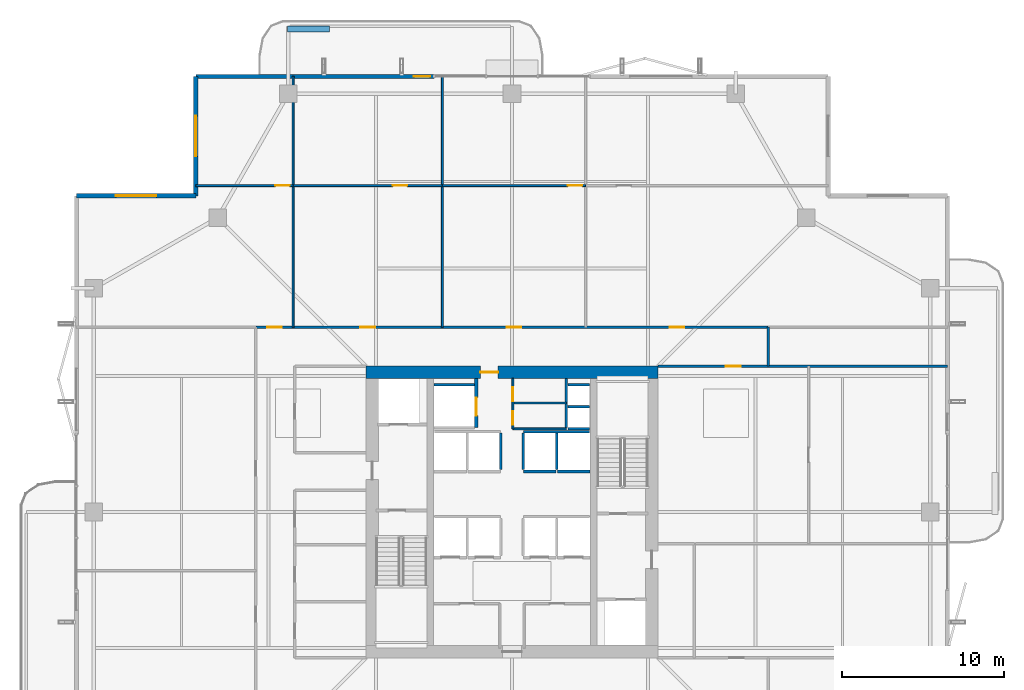
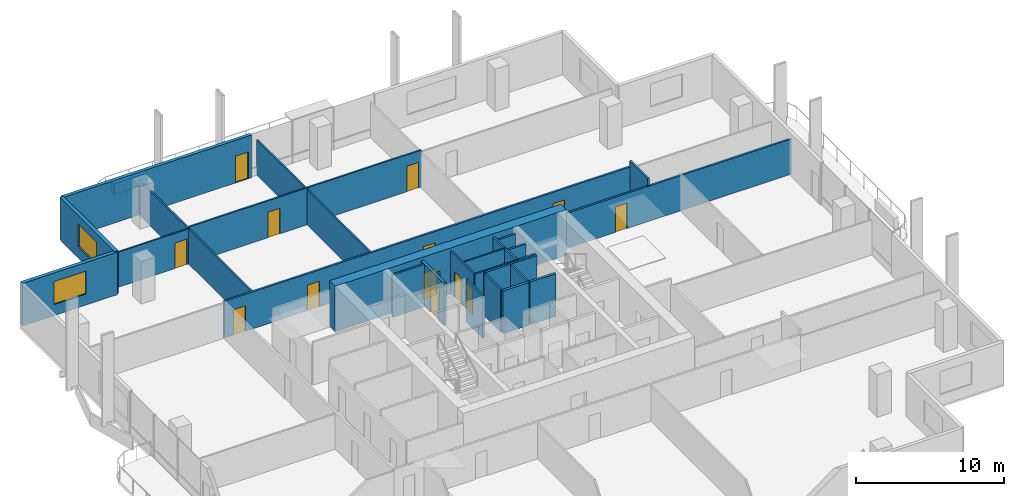
# One storey, part 19 of 24: 28 walls, 13 doors, 2 windows, 15 openings.
"""IFC4 building model written with IfcOpenShell, lengths in metres."""

from ifc_helpers import new_model, si_unit, direction, frame, frame_2d, origin, place, context, subcontext, project, spatial, rectangle, extrude, material, layer, layer_set, type_object, element, fill, save


model = new_model("IFC4")

# Units and contexts
model_context = context("Model", 3, precision=1e-05, world=origin(), true_north=direction((0.0, 1.0)))
body_context = subcontext(model_context, "Body", "Model", "MODEL_VIEW")
ifc_project = project(units=[si_unit("LENGTHUNIT", "METRE"), si_unit("AREAUNIT", "SQUARE_METRE"), si_unit("VOLUMEUNIT", "CUBIC_METRE"), si_unit("PLANEANGLEUNIT", "RADIAN"), si_unit("MASSUNIT", "GRAM", prefix="KILO")], contexts=[model_context])

# Site, building, storey
site_placement = place(None, origin())
site = spatial("IfcSite", under=ifc_project, at=site_placement, CompositionType="ELEMENT")
building_placement = place(site_placement, origin())
building = spatial("IfcBuilding", under=site, at=building_placement, Name="Belovzor Exchange Tower", CompositionType="ELEMENT")
storey_placement = place(building_placement, frame((0.0, 0.0, 233.699951171875)))
storey = spatial("IfcBuildingStorey", under=building, at=storey_placement, Name="L58", CompositionType="ELEMENT", Elevation=233.699951171875)

# Wall, opening, door
ifc_material_1 = material(Name="Acoustic Plasterboard on Galvanised Studs", Category="gypsum")
ifc_layer_1 = layer(ifc_material_1, 0.1201171875)
ifc_layer_set_1 = layer_set([ifc_layer_1], Name="Acoustic Plasterboard on Galvanised Studs")
wall_type_1 = type_object("IfcWallType", Name="Acoustic Double-Stud Partition Wall 120", PredefinedType="PARTITIONING", material=ifc_layer_set_1)
wall_1_placement = place(storey_placement, frame((9.300048828125, 48.93505859375, 0.0), z_axis=(0.0, 0.0, 1.0), x_axis=(1.0, 0.0, 0.0)))
wall_1 = element("IfcWall", 1, at=wall_1_placement, inside=storey, type_object=wall_type_1, Name="W-P120 Partition Wall W-L58-NHDIV-0", PredefinedType="PARTITIONING", context=body_context, shape_type="SweptSolid", body=[
    extrude(rectangle(XDim=6.0, YDim=0.1201171875, at=frame_2d((3.0, 0.0))), origin(), (0.0, 0.0, 1.0), 2.885009765625),
])
opening_1_placement = place(wall_1_placement, frame((4.89990234375, 0.0, 0.0)))
opening_1 = element("IfcOpeningElement", 2, at=opening_1_placement, cuts=wall_1, Name="Opening D-INT-090", PredefinedType="OPENING", context=body_context, shape_type="SweptSolid", body=[
    extrude(rectangle(XDim=0.89990234375, YDim=2.10009765625, at=frame_2d((0.449951171875, 1.050048828125))), frame((0.0, 0.070068359375, 0.0), z_axis=(0.0, -1.0, 0.0), x_axis=(1.0, 0.0, 0.0)), (0.0, 0.0, 1.0), 0.14013671875),
])
ifc_material_2 = material(Name="Veneered Hardwood Acoustic Leaf", Category="wood")
door_type_1 = type_object("IfcDoorType", Name="Trading Suite Acoustic Single Door 900x2100", OperationType="NOTDEFINED", PredefinedType="DOOR", material=ifc_material_2)
door_1_placement = place(opening_1_placement, origin())
door_1 = element("IfcDoor", 3, at=door_1_placement, inside=storey, type_object=door_type_1, Name="D-INT-090 Trading Suite Acoustic Single Door 900x2100", OperationType="SINGLE_SWING_RIGHT", OverallHeight=2.10009765625, OverallWidth=0.89990234375, PredefinedType="DOOR", context=body_context, shape_type="SweptSolid", body=[
    extrude(rectangle(XDim=0.89990234375, YDim=2.10009765625, at=frame_2d((0.449951171875, 1.050048828125))), frame((0.0, 0.02490234375, 0.0), z_axis=(0.0, -1.0, 0.0), x_axis=(1.0, 0.0, 0.0)), (0.0, 0.0, 1.0), 0.050048828125),
])
fill(opening_1, door_1)

# Wall
wall_2_placement = place(storey_placement, frame((15.300048828125, 40.199951171875, 0.0), z_axis=(0.0, 0.0, 1.0), x_axis=(0.0, 1.0, 0.0)))
element("IfcWall", 4, at=wall_2_placement, inside=storey, type_object=wall_type_1, Name="W-P120 Partition Wall W-L58-NDIV-1", PredefinedType="PARTITIONING", context=body_context, shape_type="SweptSolid", body=[
    extrude(rectangle(XDim=15.469970703125, YDim=0.1201171875, at=frame_2d((7.73486328125, 0.0))), origin(), (0.0, 0.0, 1.0), 2.885009765625),
])

# Wall, opening, door
wall_3_placement = place(storey_placement, frame((15.300048828125, 48.93505859375, 0.0), z_axis=(0.0, 0.0, 1.0), x_axis=(1.0, 0.0, 0.0)))
wall_3 = element("IfcWall", 5, at=wall_3_placement, inside=storey, type_object=wall_type_1, Name="W-P120 Partition Wall W-L58-NHDIV-1", PredefinedType="PARTITIONING", context=body_context, shape_type="SweptSolid", body=[
    extrude(rectangle(XDim=9.2080078125, YDim=0.1201171875, at=frame_2d((4.60400390625, 0.0))), origin(), (0.0, 0.0, 1.0), 3.03515625),
])
opening_2_placement = place(wall_3_placement, frame((6.131103515625, 0.0, 0.0)))
opening_2 = element("IfcOpeningElement", 6, at=opening_2_placement, cuts=wall_3, Name="Opening D-INT-090", PredefinedType="OPENING", context=body_context, shape_type="SweptSolid", body=[
    extrude(rectangle(XDim=0.89990234375, YDim=2.10009765625, at=frame_2d((0.449951171875, 1.050048828125))), frame((0.0, 0.070068359375, 0.0), z_axis=(0.0, -1.0, 0.0), x_axis=(1.0, 0.0, 0.0)), (0.0, 0.0, 1.0), 0.14013671875),
])
door_2_placement = place(opening_2_placement, origin())
door_2 = element("IfcDoor", 7, at=door_2_placement, inside=storey, type_object=door_type_1, Name="D-INT-090 Trading Suite Acoustic Single Door 900x2100", OperationType="SINGLE_SWING_RIGHT", OverallHeight=2.10009765625, OverallWidth=0.89990234375, PredefinedType="DOOR", context=body_context, shape_type="SweptSolid", body=[
    extrude(rectangle(XDim=0.89990234375, YDim=2.10009765625, at=frame_2d((0.449951171875, 1.050048828125))), frame((0.0, 0.02490234375, 0.0), z_axis=(0.0, -1.0, 0.0), x_axis=(1.0, 0.0, 0.0)), (0.0, 0.0, 1.0), 0.050048828125),
])
fill(opening_2, door_2)

# Wall
wall_4_placement = place(storey_placement, frame((24.508056640625, 40.199951171875, 0.0), z_axis=(0.0, 0.0, 1.0), x_axis=(0.0, 1.0, 0.0)))
element("IfcWall", 8, at=wall_4_placement, inside=storey, type_object=wall_type_1, Name="W-P120 Partition Wall W-L58-NDIV-2", PredefinedType="PARTITIONING", context=body_context, shape_type="SweptSolid", body=[
    extrude(rectangle(XDim=15.469970703125, YDim=0.1201171875, at=frame_2d((7.73486328125, 0.0))), origin(), (0.0, 0.0, 1.0), 2.885009765625),
])

# Wall, opening, door
wall_5_placement = place(storey_placement, frame((24.508056640625, 48.93505859375, 0.0), z_axis=(0.0, 0.0, 1.0), x_axis=(1.0, 0.0, 0.0)))
wall_5 = element("IfcWall", 9, at=wall_5_placement, inside=storey, type_object=wall_type_1, Name="W-P120 Partition Wall W-L58-NHDIV-2", PredefinedType="PARTITIONING", context=body_context, shape_type="SweptSolid", body=[
    extrude(rectangle(XDim=8.8310546875, YDim=0.1201171875, at=frame_2d((4.41552734375, 0.0))), origin(), (0.0, 0.0, 1.0), 3.03515625),
])
opening_3_placement = place(wall_5_placement, frame((7.73095703125, 0.0, 0.0)))
opening_3 = element("IfcOpeningElement", 10, at=opening_3_placement, cuts=wall_5, Name="Opening D-INT-090", PredefinedType="OPENING", context=body_context, shape_type="SweptSolid", body=[
    extrude(rectangle(XDim=0.89990234375, YDim=2.10009765625, at=frame_2d((0.449951171875, 1.050048828125))), frame((0.0, 0.070068359375, 0.0), z_axis=(0.0, -1.0, 0.0), x_axis=(1.0, 0.0, 0.0)), (0.0, 0.0, 1.0), 0.14013671875),
])
door_3_placement = place(opening_3_placement, origin())
door_3 = element("IfcDoor", 11, at=door_3_placement, inside=storey, type_object=door_type_1, Name="D-INT-090 Trading Suite Acoustic Single Door 900x2100", OperationType="SINGLE_SWING_RIGHT", OverallHeight=2.10009765625, OverallWidth=0.89990234375, PredefinedType="DOOR", context=body_context, shape_type="SweptSolid", body=[
    extrude(rectangle(XDim=0.89990234375, YDim=2.10009765625, at=frame_2d((0.449951171875, 1.050048828125))), frame((0.0, 0.02490234375, 0.0), z_axis=(0.0, -1.0, 0.0), x_axis=(1.0, 0.0, 0.0)), (0.0, 0.0, 1.0), 0.050048828125),
])
fill(opening_3, door_3)

# Wall, openings, doors
ifc_material_3 = material(Name="Fire-Rated Plasterboard on Galvanised Studs", Category="gypsum")
ifc_layer_2 = layer(ifc_material_3, 0.1201171875)
ifc_layer_set_2 = layer_set([ifc_layer_2], Name="Fire-Rated Plasterboard on Galvanised Studs")
wall_type_2 = type_object("IfcWallType", Name="Fire-Rated Double-Stud Partition Wall 120", PredefinedType="PARTITIONING", material=ifc_layer_set_2)
wall_6_placement = place(storey_placement, frame((28.85009765625, 33.925048828125, 0.0), z_axis=(0.0, 0.0, 1.0), x_axis=(0.0, 1.0, 0.0)))
wall_6 = element("IfcWall", 12, at=wall_6_placement, inside=storey, type_object=wall_type_2, Name="W-P120F Partition Wall W-CRV-L58-W", PredefinedType="PARTITIONING", context=body_context, shape_type="SweptSolid", body=[
    extrude(rectangle(XDim=3.125, YDim=0.1201171875, at=frame_2d((1.5625, 0.0))), origin(), (0.0, 0.0, 1.0), 3.5),
])
opening_4_placement = place(wall_6_placement, frame((0.25, 0.0, 0.0)))
opening_4 = element("IfcOpeningElement", 13, at=opening_4_placement, cuts=wall_6, Name="Opening D-FD60-085", PredefinedType="OPENING", context=body_context, shape_type="SweptSolid", body=[
    extrude(rectangle(XDim=0.85009765625, YDim=2.10009765625, at=frame_2d((0.425048828125, 1.050048828125))), frame((0.0, 0.070068359375, 0.0), z_axis=(0.0, -1.0, 0.0), x_axis=(1.0, 0.0, 0.0)), (0.0, 0.0, 1.0), 0.14013671875),
])
opening_5_placement = place(wall_6_placement, frame((1.719970703125, 0.0, 0.0)))
opening_5 = element("IfcOpeningElement", 14, at=opening_5_placement, cuts=wall_6, Name="Opening D-FD60-085", PredefinedType="OPENING", context=body_context, shape_type="SweptSolid", body=[
    extrude(rectangle(XDim=0.85009765625, YDim=2.10009765625, at=frame_2d((0.425048828125, 1.050048828125))), frame((0.0, 0.070068359375, 0.0), z_axis=(0.0, -1.0, 0.0), x_axis=(1.0, 0.0, 0.0)), (0.0, 0.0, 1.0), 0.14013671875),
])
ifc_material_4 = material(Name="Fire-Rated Steel Access Leaf", Category="steel")
door_type_2 = type_object("IfcDoorType", Name="Riser & Meter Closet Access Fire Door 850x2100", OperationType="NOTDEFINED", PredefinedType="DOOR", material=ifc_material_4)
door_4_placement = place(opening_4_placement, origin())
door_4 = element("IfcDoor", 15, at=door_4_placement, inside=storey, type_object=door_type_2, Name="D-FD60-085 Riser & Meter Closet Access Fire Door 850x2100", OperationType="SINGLE_SWING_LEFT", OverallHeight=2.10009765625, OverallWidth=0.85009765625, PredefinedType="DOOR", context=body_context, shape_type="SweptSolid", body=[
    extrude(rectangle(XDim=0.85009765625, YDim=2.10009765625, at=frame_2d((0.425048828125, 1.050048828125))), frame((0.0, 0.02490234375, 0.0), z_axis=(0.0, -1.0, 0.0), x_axis=(1.0, 0.0, 0.0)), (0.0, 0.0, 1.0), 0.050048828125),
])
fill(opening_4, door_4)
door_5_placement = place(opening_5_placement, origin())
door_5 = element("IfcDoor", 16, at=door_5_placement, inside=storey, type_object=door_type_2, Name="D-FD60-085 Riser & Meter Closet Access Fire Door 850x2100", OperationType="SINGLE_SWING_RIGHT", OverallHeight=2.10009765625, OverallWidth=0.85009765625, PredefinedType="DOOR", context=body_context, shape_type="SweptSolid", body=[
    extrude(rectangle(XDim=0.85009765625, YDim=2.10009765625, at=frame_2d((0.425048828125, 1.050048828125))), frame((0.0, 0.02490234375, 0.0), z_axis=(0.0, -1.0, 0.0), x_axis=(1.0, 0.0, 0.0)), (0.0, 0.0, 1.0), 0.050048828125),
])
fill(opening_5, door_5)

# Walls
for number, where, z_axis, x_axis, name in (
    (17, (28.85009765625, 35.52490234375, 0.0), (0.0, 0.0, 1.0), (1.0, 0.0, 0.0), "W-P120F Partition Wall W-CRV-L58-M"),
    (18, (28.85009765625, 33.925048828125, 0.0), (0.0, 0.0, 1.0), (1.0, 0.0, 0.0), "W-P120F Partition Wall W-CRV-L58-S"),
):
    element("IfcWall", number, at=place(storey_placement, frame(where, z_axis=z_axis, x_axis=x_axis)), inside=storey, type_object=wall_type_2, Name=name, PredefinedType="PARTITIONING", context=body_context, shape_type="SweptSolid", body=[
        extrude(rectangle(XDim=3.2998046875, YDim=0.1201171875, at=frame_2d((1.64990234375, 0.0))), origin(), (0.0, 0.0, 1.0), 3.5),
    ])
ifc_material_5 = material(Name="Fire-Rated Gypsum Block and Mineral Wool", Category="gypsum")
ifc_layer_3 = layer(ifc_material_5, 0.14990234375)
ifc_layer_set_3 = layer_set([ifc_layer_3], Name="Fire-Rated Gypsum Block and Mineral Wool")
wall_type_3 = type_object("IfcWallType", Name="Fire-Rated Gypsum Block Corridor Wall 150", PredefinedType="PARTITIONING", material=ifc_layer_set_3)
wall_7_placement = place(storey_placement, frame((44.60009765625, 37.800048828125, 0.0), z_axis=(0.0, 0.0, 1.0), x_axis=(0.0, 1.0, 0.0)))
element("IfcWall", 19, at=wall_7_placement, inside=storey, type_object=wall_type_3, Name="W-P150 Partition Wall W-L58-END-EN", PredefinedType="PARTITIONING", context=body_context, shape_type="SweptSolid", body=[
    extrude(rectangle(XDim=2.39990234375, YDim=0.14990234375, at=frame_2d((1.199951171875, 0.0))), origin(), (0.0, 0.0, 1.0), 3.5),
])

# Wall, opening, door
wall_8_placement = place(storey_placement, frame((37.800048828125, 37.800048828125, 0.0), z_axis=(0.0, 0.0, 1.0), x_axis=(1.0, 0.0, 0.0)))
wall_8 = element("IfcWall", 20, at=wall_8_placement, inside=storey, type_object=wall_type_3, Name="W-P150 Partition Wall W-L58-CN-IN", PredefinedType="PARTITIONING", context=body_context, shape_type="SweptSolid", body=[
    extrude(rectangle(XDim=17.869873046875, YDim=0.14990234375, at=frame_2d((8.93505859375, 0.0))), origin(), (0.0, 0.0, 1.0), 2.885009765625),
])
opening_6_placement = place(wall_8_placement, frame((4.196044921875, 0.0, 0.0)))
opening_6 = element("IfcOpeningElement", 21, at=opening_6_placement, cuts=wall_8, Name="Opening D-INT-090", PredefinedType="OPENING", context=body_context, shape_type="SweptSolid", body=[
    extrude(rectangle(XDim=0.89990234375, YDim=2.10009765625, at=frame_2d((0.449951171875, 1.050048828125))), frame((0.0, 0.0849609375, 0.0), z_axis=(0.0, -1.0, 0.0), x_axis=(1.0, 0.0, 0.0)), (0.0, 0.0, 1.0), 0.169921875),
])
door_6_placement = place(opening_6_placement, origin())
door_6 = element("IfcDoor", 22, at=door_6_placement, inside=storey, type_object=door_type_1, Name="D-INT-090 Trading Suite Acoustic Single Door 900x2100", OperationType="SINGLE_SWING_RIGHT", OverallHeight=2.10009765625, OverallWidth=0.89990234375, PredefinedType="DOOR", context=body_context, shape_type="SweptSolid", body=[
    extrude(rectangle(XDim=0.89990234375, YDim=2.10009765625, at=frame_2d((0.449951171875, 1.050048828125))), frame((0.0, 0.02490234375, 0.0), z_axis=(0.0, -1.0, 0.0), x_axis=(1.0, 0.0, 0.0)), (0.0, 0.0, 1.0), 0.050048828125),
])
fill(opening_6, door_6)

# Wall, openings, doors
wall_9_placement = place(storey_placement, frame((13.0, 40.199951171875, 0.0), z_axis=(0.0, 0.0, 1.0), x_axis=(1.0, 0.0, 0.0)))
wall_9 = element("IfcWall", 23, at=wall_9_placement, inside=storey, type_object=wall_type_3, Name="W-P150 Partition Wall W-L58-CN", PredefinedType="PARTITIONING", context=body_context, shape_type="SweptSolid", body=[
    extrude(rectangle(XDim=31.60009765625, YDim=0.14990234375, at=frame_2d((15.800048828125, 0.0))), origin(), (0.0, 0.0, 1.0), 3.03515625),
])
opening_7_placement = place(wall_9_placement, frame((0.699951171875, 0.0, 0.0)))
opening_7 = element("IfcOpeningElement", 24, at=opening_7_placement, cuts=wall_9, Name="Opening D-INT-090", PredefinedType="OPENING", context=body_context, shape_type="SweptSolid", body=[
    extrude(rectangle(XDim=0.89990234375, YDim=2.10009765625, at=frame_2d((0.449951171875, 1.050048828125))), frame((0.0, 0.0849609375, 0.0), z_axis=(0.0, -1.0, 0.0), x_axis=(1.0, 0.0, 0.0)), (0.0, 0.0, 1.0), 0.169921875),
])
opening_8_placement = place(wall_9_placement, frame((6.4541015625, 0.0, 0.0)))
opening_8 = element("IfcOpeningElement", 25, at=opening_8_placement, cuts=wall_9, Name="Opening D-INT-090", PredefinedType="OPENING", context=body_context, shape_type="SweptSolid", body=[
    extrude(rectangle(XDim=0.89990234375, YDim=2.10009765625, at=frame_2d((0.449951171875, 1.050048828125))), frame((0.0, 0.0849609375, 0.0), z_axis=(0.0, -1.0, 0.0), x_axis=(1.0, 0.0, 0.0)), (0.0, 0.0, 1.0), 0.169921875),
])
opening_9_placement = place(wall_9_placement, frame((15.472900390625, 0.0, 0.0)))
opening_9 = element("IfcOpeningElement", 26, at=opening_9_placement, cuts=wall_9, Name="Opening D-INT-090", PredefinedType="OPENING", context=body_context, shape_type="SweptSolid", body=[
    extrude(rectangle(XDim=0.89990234375, YDim=2.10009765625, at=frame_2d((0.449951171875, 1.050048828125))), frame((0.0, 0.0849609375, 0.0), z_axis=(0.0, -1.0, 0.0), x_axis=(1.0, 0.0, 0.0)), (0.0, 0.0, 1.0), 0.169921875),
])
opening_10_placement = place(wall_9_placement, frame((25.51904296875, 0.0, 0.0)))
opening_10 = element("IfcOpeningElement", 27, at=opening_10_placement, cuts=wall_9, Name="Opening D-INT-090", PredefinedType="OPENING", context=body_context, shape_type="SweptSolid", body=[
    extrude(rectangle(XDim=0.89990234375, YDim=2.10009765625, at=frame_2d((0.449951171875, 1.050048828125))), frame((0.0, 0.0849609375, 0.0), z_axis=(0.0, -1.0, 0.0), x_axis=(1.0, 0.0, 0.0)), (0.0, 0.0, 1.0), 0.169921875),
])
door_7_placement = place(opening_7_placement, origin())
door_7 = element("IfcDoor", 28, at=door_7_placement, inside=storey, type_object=door_type_1, Name="D-INT-090 Trading Suite Acoustic Single Door 900x2100", OperationType="SINGLE_SWING_RIGHT", OverallHeight=2.10009765625, OverallWidth=0.89990234375, PredefinedType="DOOR", context=body_context, shape_type="SweptSolid", body=[
    extrude(rectangle(XDim=0.89990234375, YDim=2.10009765625, at=frame_2d((0.449951171875, 1.050048828125))), frame((0.0, 0.02490234375, 0.0), z_axis=(0.0, -1.0, 0.0), x_axis=(1.0, 0.0, 0.0)), (0.0, 0.0, 1.0), 0.050048828125),
])
fill(opening_7, door_7)
door_8_placement = place(opening_8_placement, origin())
door_8 = element("IfcDoor", 29, at=door_8_placement, inside=storey, type_object=door_type_1, Name="D-INT-090 Trading Suite Acoustic Single Door 900x2100", OperationType="SINGLE_SWING_LEFT", OverallHeight=2.10009765625, OverallWidth=0.89990234375, PredefinedType="DOOR", context=body_context, shape_type="SweptSolid", body=[
    extrude(rectangle(XDim=0.89990234375, YDim=2.10009765625, at=frame_2d((0.449951171875, 1.050048828125))), frame((0.0, 0.02490234375, 0.0), z_axis=(0.0, -1.0, 0.0), x_axis=(1.0, 0.0, 0.0)), (0.0, 0.0, 1.0), 0.050048828125),
])
fill(opening_8, door_8)
door_9_placement = place(opening_9_placement, origin())
door_9 = element("IfcDoor", 30, at=door_9_placement, inside=storey, type_object=door_type_1, Name="D-INT-090 Trading Suite Acoustic Single Door 900x2100", OperationType="SINGLE_SWING_RIGHT", OverallHeight=2.10009765625, OverallWidth=0.89990234375, PredefinedType="DOOR", context=body_context, shape_type="SweptSolid", body=[
    extrude(rectangle(XDim=0.89990234375, YDim=2.10009765625, at=frame_2d((0.449951171875, 1.050048828125))), frame((0.0, 0.02490234375, 0.0), z_axis=(0.0, -1.0, 0.0), x_axis=(1.0, 0.0, 0.0)), (0.0, 0.0, 1.0), 0.050048828125),
])
fill(opening_9, door_9)
door_10_placement = place(opening_10_placement, origin())
door_10 = element("IfcDoor", 31, at=door_10_placement, inside=storey, type_object=door_type_1, Name="D-INT-090 Trading Suite Acoustic Single Door 900x2100", OperationType="SINGLE_SWING_LEFT", OverallHeight=2.10009765625, OverallWidth=0.89990234375, PredefinedType="DOOR", context=body_context, shape_type="SweptSolid", body=[
    extrude(rectangle(XDim=0.89990234375, YDim=2.10009765625, at=frame_2d((0.449951171875, 1.050048828125))), frame((0.0, 0.02490234375, 0.0), z_axis=(0.0, -1.0, 0.0), x_axis=(1.0, 0.0, 0.0)), (0.0, 0.0, 1.0), 0.050048828125),
])
fill(opening_10, door_10)

# Wall, opening, window
ifc_material_6 = material(Name="Precast concrete C40/50", Category="concrete")
ifc_layer_4 = layer(ifc_material_6, 0.280029296875)
ifc_layer_set_4 = layer_set([ifc_layer_4], Name="Precast concrete C40/50")
wall_type_4 = type_object("IfcWallType", Name="Precast Concrete Notched Corner Frame Wall 280", PredefinedType="SOLIDWALL", material=ifc_layer_set_4)
wall_10_placement = place(storey_placement, frame((1.929931640625, 48.300048828125, 0.0), z_axis=(0.0, 0.0, 1.0), x_axis=(1.0, 0.0, 0.0)))
wall_10 = element("IfcWall", 32, at=wall_10_placement, inside=storey, type_object=wall_type_4, Name="W-CRN280 Precast Concrete Notched Corner Frame Wall 280 L58", PredefinedType="SOLIDWALL", context=body_context, shape_type="SweptSolid", body=[
    extrude(rectangle(XDim=7.3701171875, YDim=0.280029296875, at=frame_2d((3.68505859375, 0.0))), origin(), (0.0, 0.0, 1.0), 3.5),
])
opening_11_placement = place(wall_10_placement, frame((2.43505859375, 0.0, 0.89990234375)))
opening_11 = element("IfcOpeningElement", 33, at=opening_11_placement, cuts=wall_10, Name="Opening WN-CRN250", PredefinedType="OPENING", context=body_context, shape_type="SweptSolid", body=[
    extrude(rectangle(XDim=2.5, YDim=1.89990234375, at=frame_2d((1.25, 0.949951171875))), frame((0.0, 0.14990234375, 0.0), z_axis=(0.0, -1.0, 0.0), x_axis=(1.0, 0.0, 0.0)), (0.0, 0.0, 1.0), 0.300048828125),
])
ifc_material_7 = material(Name="Thermally Broken Aluminium and Triple Glazing", Category="aluminium")
window_type = type_object("IfcWindowType", Name="Streamline Moderne Corner Wrap Ribbon Window 2500x1900", PartitioningType="SINGLE_PANEL", PredefinedType="WINDOW", material=ifc_material_7)
window_1_placement = place(opening_11_placement, origin())
window_1 = element("IfcWindow", 34, at=window_1_placement, inside=storey, type_object=window_type, Name="WN-CRN250 Streamline Moderne Corner Wrap Ribbon Window 2500x1900", OverallHeight=1.89990234375, OverallWidth=2.5, PartitioningType="SINGLE_PANEL", PredefinedType="WINDOW", context=body_context, shape_type="SweptSolid", body=[
    extrude(rectangle(XDim=2.5, YDim=1.89990234375, at=frame_2d((1.25, 0.949951171875))), frame((0.0, 0.030029296875, 0.0), z_axis=(0.0, -1.0, 0.0), x_axis=(1.0, 0.0, 0.0)), (0.0, 0.0, 1.0), 0.06005859375),
])
fill(opening_11, window_1)

wall_11_placement = place(storey_placement, frame((9.300048828125, 48.300048828125, 0.0), z_axis=(0.0, 0.0, 1.0), x_axis=(0.0, 1.0, 0.0)))
wall_11 = element("IfcWall", 35, at=wall_11_placement, inside=storey, type_object=wall_type_4, Name="W-CRN280 Precast Concrete Notched Corner Frame Wall 280 L58", PredefinedType="SOLIDWALL", context=body_context, shape_type="SweptSolid", body=[
    extrude(rectangle(XDim=7.369873046875, YDim=0.280029296875, at=frame_2d((3.68505859375, 0.0))), origin(), (0.0, 0.0, 1.0), 3.5),
])
opening_12_placement = place(wall_11_placement, frame((2.43505859375, 0.0, 0.89990234375)))
opening_12 = element("IfcOpeningElement", 36, at=opening_12_placement, cuts=wall_11, Name="Opening WN-CRN250", PredefinedType="OPENING", context=body_context, shape_type="SweptSolid", body=[
    extrude(rectangle(XDim=2.5, YDim=1.89990234375, at=frame_2d((1.25, 0.949951171875))), frame((0.0, 0.14990234375, 0.0), z_axis=(0.0, -1.0, 0.0), x_axis=(1.0, 0.0, 0.0)), (0.0, 0.0, 1.0), 0.300048828125),
])
window_2_placement = place(opening_12_placement, origin())
window_2 = element("IfcWindow", 37, at=window_2_placement, inside=storey, type_object=window_type, Name="WN-CRN250 Streamline Moderne Corner Wrap Ribbon Window 2500x1900", OverallHeight=1.89990234375, OverallWidth=2.5, PartitioningType="SINGLE_PANEL", PredefinedType="WINDOW", context=body_context, shape_type="SweptSolid", body=[
    extrude(rectangle(XDim=2.5, YDim=1.89990234375, at=frame_2d((1.25, 0.949951171875))), frame((0.0, 0.030029296875, 0.0), z_axis=(0.0, -1.0, 0.0), x_axis=(1.0, 0.0, 0.0)), (0.0, 0.0, 1.0), 0.06005859375),
])
fill(opening_12, window_2)

# Wall, opening, door
ifc_material_8 = material(Name="Precast concrete C40/50", Category="concrete")
ifc_layer_5 = layer(ifc_material_8, 0.260009765625)
ifc_layer_set_5 = layer_set([ifc_layer_5], Name="Precast concrete C40/50")
wall_type_5 = type_object("IfcWallType", Name="Precast Concrete Perimeter Loggia Frame Wall 260", PredefinedType="SOLIDWALL", material=ifc_layer_set_5)
wall_12_placement = place(storey_placement, frame((9.300048828125, 55.669921875, 0.0), z_axis=(0.0, 0.0, 1.0), x_axis=(1.0, 0.0, 0.0)))
wall_12 = element("IfcWall", 38, at=wall_12_placement, inside=storey, type_object=wall_type_5, Name="W-EXT260 Precast Concrete Perimeter Loggia Frame Wall 260 L58", PredefinedType="SOLIDWALL", context=body_context, shape_type="SweptSolid", body=[
    extrude(rectangle(XDim=14.699951171875, YDim=0.260009765625, at=frame_2d((7.35009765625, 0.0))), origin(), (0.0, 0.0, 1.0), 3.5),
])
opening_13_placement = place(wall_12_placement, frame((13.449951171875, 0.0, 0.0)))
opening_13 = element("IfcOpeningElement", 39, at=opening_13_placement, cuts=wall_12, Name="Opening D-BAL100", PredefinedType="OPENING", context=body_context, shape_type="SweptSolid", body=[
    extrude(rectangle(XDim=1.0, YDim=2.199951171875, at=frame_2d((0.5, 1.10009765625))), frame((0.0, 0.139892578125, 0.0), z_axis=(0.0, -1.0, 0.0), x_axis=(1.0, 0.0, 0.0)), (0.0, 0.0, 1.0), 0.280029296875),
])
ifc_material_9 = material(Name="Thermally Broken Anodised Aluminium and Laminated Glass", Category="aluminium")
door_type_3 = type_object("IfcDoorType", Name="Planted Loggia Terrace Glazed Door 1000x2200", OperationType="SINGLE_SWING_LEFT", PredefinedType="DOOR", material=ifc_material_9)
door_11_placement = place(opening_13_placement, origin())
door_11 = element("IfcDoor", 40, at=door_11_placement, inside=storey, type_object=door_type_3, Name="D-BAL100 Balcony Terrace Door L58 N", OperationType="SINGLE_SWING_RIGHT", OverallHeight=2.199951171875, OverallWidth=1.0, PredefinedType="DOOR", context=body_context, shape_type="SweptSolid", body=[
    extrude(rectangle(XDim=1.0, YDim=2.199951171875, at=frame_2d((0.5, 1.10009765625))), frame((0.0, 0.02490234375, 0.0), z_axis=(0.0, -1.0, 0.0), x_axis=(1.0, 0.0, 0.0)), (0.0, 0.0, 1.0), 0.050048828125),
])
fill(opening_13, door_11)

# Walls
ifc_material_10 = material(Name="Precast concrete C40/50", Category="concrete")
ifc_layer_6 = layer(ifc_material_10, 0.35009765625)
ifc_layer_set_6 = layer_set([ifc_layer_6], Name="Precast concrete C40/50")
wall_type_6 = type_object("IfcWallType", Name="Precast Concrete Structural Tree Planter Trough 350", PredefinedType="PARAPET", material=ifc_layer_set_6)
wall_13_placement = place(storey_placement, frame((14.949951171875, 58.60009765625, 0.0), z_axis=(0.0, 0.0, 1.0), x_axis=(1.0, 0.0, 0.0)))
element("IfcWall", 41, at=wall_13_placement, inside=storey, type_object=wall_type_6, Name="PT-350 Precast Concrete Structural Tree Planter Trough 350 L58", PredefinedType="PARAPET", context=body_context, shape_type="SweptSolid", body=[
    extrude(rectangle(XDim=2.60009765625, YDim=0.35009765625, at=frame_2d((1.300048828125, 0.0))), origin(), (0.0, 0.0, 1.0), 0.900146484375),
])
ifc_material_11 = material(Name="Concrete C50/60", Category="concrete")
ifc_layer_7 = layer(ifc_material_11, 0.14990234375)
ifc_layer_set_7 = layer_set([ifc_layer_7], Name="Concrete C50/60")
wall_type_7 = type_object("IfcWallType", Name="Reinforced Concrete Core Riser Shear Wall 150", PredefinedType="SHEAR", material=ifc_layer_set_7)
wall_14_placement = place(storey_placement, frame((32.14990234375, 34.0, 0.0), z_axis=(0.0, 0.0, 1.0), x_axis=(0.0, 1.0, 0.0)))
element("IfcWall", 42, at=wall_14_placement, inside=storey, type_object=wall_type_7, Name="W-C150S Core Shaft Wall W-RSR-L58-E", PredefinedType="SHEAR", context=body_context, shape_type="SweptSolid", body=[
    extrude(rectangle(XDim=3.050048828125, YDim=0.14990234375, at=frame_2d((1.52490234375, 0.0))), origin(), (0.0, 0.0, 1.0), 3.5),
])
for number, where, z_axis, x_axis, name in (
    (43, (32.25, 33.925048828125, 0.0), (0.0, 0.0, 1.0), (1.0, 0.0, 0.0), "W-C150S Core Shaft Wall W-RSR-L58-S"),
    (44, (32.25, 35.300048828125, 0.0), (0.0, 0.0, 1.0), (1.0, 0.0, 0.0), "W-C150S Core Shaft Wall W-RSR-L58-M"),
):
    element("IfcWall", number, at=place(storey_placement, frame(where, z_axis=z_axis, x_axis=x_axis)), inside=storey, type_object=wall_type_7, Name=name, PredefinedType="SHEAR", context=body_context, shape_type="SweptSolid", body=[
        extrude(rectangle(XDim=1.330078125, YDim=0.14990234375, at=frame_2d((0.6650390625, 0.0))), origin(), (0.0, 0.0, 1.0), 3.5),
    ])
wall_15_placement = place(storey_placement, frame((24.0, 36.64990234375, 0.0), z_axis=(0.0, 0.0, 1.0), x_axis=(1.0, 0.0, 0.0)))
element("IfcWall", 45, at=wall_15_placement, inside=storey, type_object=wall_type_7, Name="W-C150S Core Shaft Wall W-SH-L58-SL-01N", PredefinedType="SHEAR", context=body_context, shape_type="SweptSolid", body=[
    extrude(rectangle(XDim=2.47998046875, YDim=0.14990234375, at=frame_2d((1.239990234375, 0.0))), origin(), (0.0, 0.0, 1.0), 3.5),
])
wall_16_placement = place(storey_placement, frame((32.25, 36.64990234375, 0.0), z_axis=(0.0, 0.0, 1.0), x_axis=(1.0, 0.0, 0.0)))
element("IfcWall", 46, at=wall_16_placement, inside=storey, type_object=wall_type_7, Name="W-C150S Core Shaft Wall W-RSR-L58-N", PredefinedType="SHEAR", context=body_context, shape_type="SweptSolid", body=[
    extrude(rectangle(XDim=1.330078125, YDim=0.14990234375, at=frame_2d((0.6650390625, 0.0))), origin(), (0.0, 0.0, 1.0), 3.5),
])
wall_17_placement = place(storey_placement, frame((29.5, 33.760009765625, 0.0), z_axis=(0.0, 0.0, 1.0), x_axis=(1.0, 0.0, 0.0)))
element("IfcWall", 47, at=wall_17_placement, inside=storey, type_object=wall_type_7, Name="W-C150S Core Shaft Wall W-SHB-L58-PLH-NE", PredefinedType="SHEAR", context=body_context, shape_type="SweptSolid", body=[
    extrude(rectangle(XDim=4.080078125, YDim=0.14990234375, at=frame_2d((2.0400390625, 0.0))), origin(), (0.0, 0.0, 1.0), 3.5),
])
for number, where, z_axis, x_axis, name in (
    (48, (28.10009765625, 31.419921875, 0.0), (0.0, 0.0, 1.0), (0.0, 1.0, 0.0), "W-C150S Core Shaft Wall W-SHD-L58-PLH-2"),
    (49, (29.5, 31.419921875, 0.0), (0.0, 0.0, 1.0), (0.0, 1.0, 0.0), "W-C150S Core Shaft Wall W-SHD-L58-PLH-3"),
    (50, (31.550048828125, 31.419921875, 0.0), (0.0, 0.0, 1.0), (0.0, 1.0, 0.0), "W-C150S Core Shaft Wall W-SHD-L58-PLH-4"),
):
    element("IfcWall", number, at=place(storey_placement, frame(where, z_axis=z_axis, x_axis=x_axis)), inside=storey, type_object=wall_type_7, Name=name, PredefinedType="SHEAR", context=body_context, shape_type="SweptSolid", body=[
        extrude(rectangle(XDim=2.239990234375, YDim=0.14990234375, at=frame_2d((1.1201171875, 0.0))), origin(), (0.0, 0.0, 1.0), 3.5),
    ])

# Wall, opening, door
ifc_material_12 = material(Name="Concrete C50/60", Category="concrete")
ifc_layer_8 = layer(ifc_material_12, 0.199951171875)
ifc_layer_set_8 = layer_set([ifc_layer_8], Name="Concrete C50/60")
wall_type_8 = type_object("IfcWallType", Name="Reinforced Concrete Core Shaft Shear Wall 200", PredefinedType="SHEAR", material=ifc_layer_set_8)
wall_18_placement = place(storey_placement, frame((26.60009765625, 34.0, 0.0), z_axis=(0.0, 0.0, 1.0), x_axis=(0.0, 1.0, 0.0)))
wall_18 = element("IfcWall", 51, at=wall_18_placement, inside=storey, type_object=wall_type_8, Name="W-C200S Core Shaft Wall W-SH-L58-SL-01", PredefinedType="SHEAR", context=body_context, shape_type="SweptSolid", body=[
    extrude(rectangle(XDim=3.050048828125, YDim=0.199951171875, at=frame_2d((1.52490234375, 0.0))), origin(), (0.0, 0.0, 1.0), 3.5),
])
opening_14_placement = place(wall_18_placement, frame((0.75, 0.0, 0.0)))
opening_14 = element("IfcOpeningElement", 52, at=opening_14_placement, cuts=wall_18, Name="Opening LD-110", PredefinedType="OPENING", context=body_context, shape_type="SweptSolid", body=[
    extrude(rectangle(XDim=1.10009765625, YDim=2.14990234375, at=frame_2d((0.550048828125, 1.074951171875))), frame((0.0, 0.10986328125, 0.0), z_axis=(0.0, -1.0, 0.0), x_axis=(1.0, 0.0, 0.0)), (0.0, 0.0, 1.0), 0.219970703125),
])
ifc_material_13 = material(Name="Stainless Steel Grade 304", Category="steel")
door_type_4 = type_object("IfcDoorType", Name="Automated Stainless Steel Lift Landing Door 1100x2150", OperationType="SLIDING_TO_RIGHT", PredefinedType="DOOR", material=ifc_material_13)
door_12_placement = place(opening_14_placement, origin())
door_12 = element("IfcDoor", 53, at=door_12_placement, inside=storey, type_object=door_type_4, Name="LD-110 Automated Stainless Steel Lift Landing Door 1100x2150", OperationType="SLIDING_TO_RIGHT", OverallHeight=2.14990234375, OverallWidth=1.10009765625, PredefinedType="DOOR", context=body_context, shape_type="SweptSolid", body=[
    extrude(rectangle(XDim=1.10009765625, YDim=2.14990234375, at=frame_2d((0.550048828125, 1.074951171875))), frame((0.0, 0.02490234375, 0.0), z_axis=(0.0, -1.0, 0.0), x_axis=(1.0, 0.0, 0.0)), (0.0, 0.0, 1.0), 0.050048828125),
])
fill(opening_14, door_12)

# Walls
for number, where, z_axis, x_axis, name in (
    (54, (29.5, 31.300048828125, 0.0), (0.0, 0.0, 1.0), (1.0, 0.0, 0.0), "W-C200S Core Shaft Wall W-SH-L58-PL-H3"),
    (55, (31.60009765625, 31.300048828125, 0.0), (0.0, 0.0, 1.0), (1.0, 0.0, 0.0), "W-C200S Core Shaft Wall W-SH-L58-PL-H4"),
):
    element("IfcWall", number, at=place(storey_placement, frame(where, z_axis=z_axis, x_axis=x_axis)), inside=storey, type_object=wall_type_8, Name=name, PredefinedType="SHEAR", context=body_context, shape_type="SweptSolid", body=[
        extrude(rectangle(XDim=2.0, YDim=0.199951171875, at=frame_2d((1.0, 0.0))), origin(), (0.0, 0.0, 1.0), 3.5),
    ])

# Wall, opening, door
ifc_material_14 = material(Name="Concrete C50/60", Category="concrete")
ifc_layer_9 = layer(ifc_material_14, 0.75)
ifc_layer_set_9 = layer_set([ifc_layer_9], Name="Concrete C50/60")
wall_type_9 = type_object("IfcWallType", Name="Reinforced Concrete Core Shear Wall 750", PredefinedType="SHEAR", material=ifc_layer_set_9)
wall_19_placement = place(storey_placement, frame((19.800048828125, 37.425048828125, 0.0), z_axis=(0.0, 0.0, 1.0), x_axis=(1.0, 0.0, 0.0)))
wall_19 = element("IfcWall", 56, at=wall_19_placement, inside=storey, type_object=wall_type_9, Name="CW-S075 Core Shear Wall L58 N", PredefinedType="SHEAR", context=body_context, shape_type="SweptSolid", body=[
    extrude(rectangle(XDim=18.0, YDim=0.75, at=frame_2d((9.0, 0.0))), origin(), (0.0, 0.0, 1.0), 3.75),
])
opening_15_placement = place(wall_19_placement, frame((7.050048828125, 0.0, 0.0)))
opening_15 = element("IfcOpeningElement", 57, at=opening_15_placement, cuts=wall_19, Name="Opening D-FD90-110", PredefinedType="OPENING", context=body_context, shape_type="SweptSolid", body=[
    extrude(rectangle(XDim=1.10009765625, YDim=2.14990234375, at=frame_2d((0.550048828125, 1.074951171875))), frame((0.0, 0.385009765625, 0.0), z_axis=(0.0, -1.0, 0.0), x_axis=(1.0, 0.0, 0.0)), (0.0, 0.0, 1.0), 0.77001953125),
])
ifc_material_15 = material(Name="Fire-Rated Galvanised Steel Leaf", Category="steel")
door_type_5 = type_object("IfcDoorType", Name="Protected Escape Vestibule Fire Door 1100x2150", OperationType="NOTDEFINED", PredefinedType="DOOR", material=ifc_material_15)
door_13_placement = place(opening_15_placement, origin())
door_13 = element("IfcDoor", 58, at=door_13_placement, inside=storey, type_object=door_type_5, Name="D-FD90-110 Protected Escape Vestibule Fire Door 1100x2150", OperationType="SINGLE_SWING_RIGHT", OverallHeight=2.14990234375, OverallWidth=1.10009765625, PredefinedType="DOOR", context=body_context, shape_type="SweptSolid", body=[
    extrude(rectangle(XDim=1.10009765625, YDim=2.14990234375, at=frame_2d((0.550048828125, 1.074951171875))), frame((0.0, 0.02490234375, 0.0), z_axis=(0.0, -1.0, 0.0), x_axis=(1.0, 0.0, 0.0)), (0.0, 0.0, 1.0), 0.050048828125),
])
fill(opening_15, door_13)

save(model, "model.ifc")
